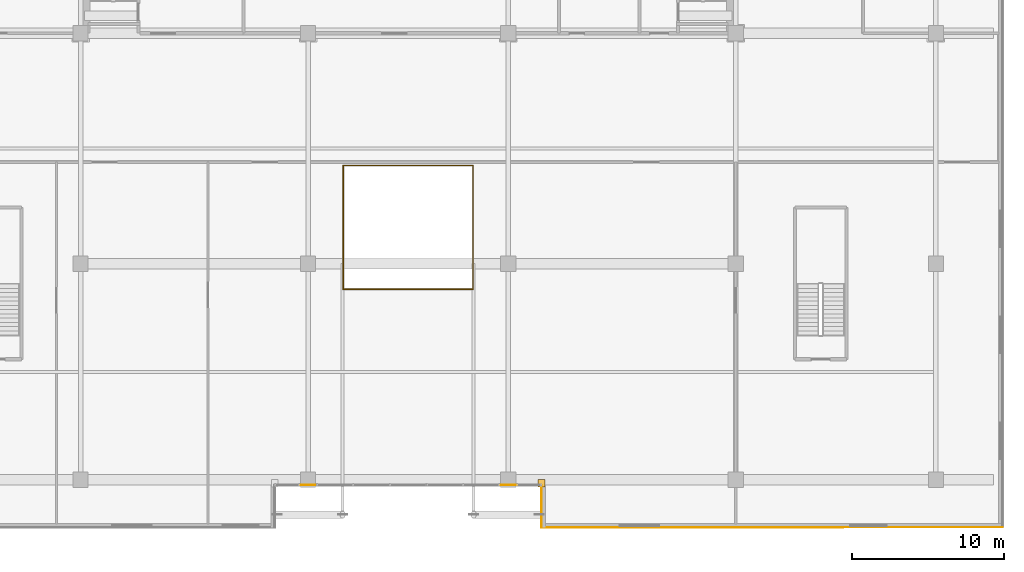
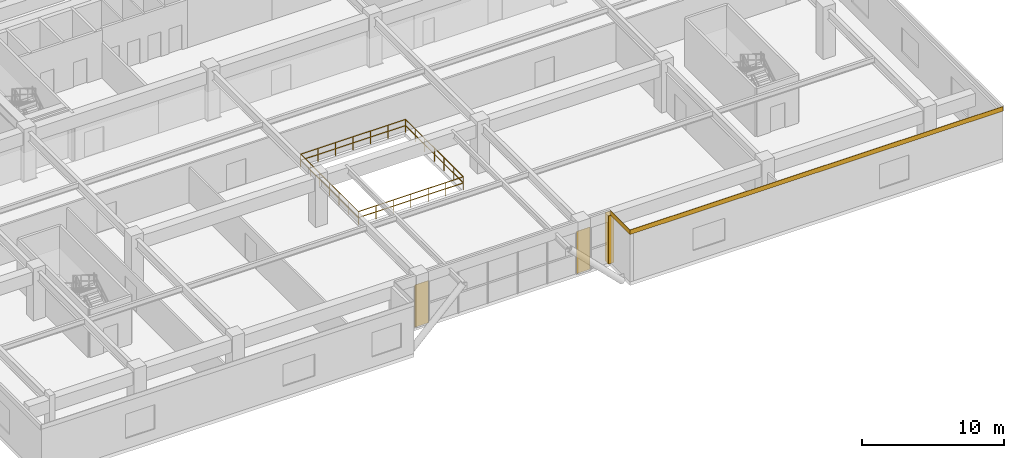
# One storey, part 18 of 21: 5 coverings, 4 railings.
"""IFC4 building model written with IfcOpenShell, lengths in metres."""

import ifcopenshell
import ifcopenshell.guid

model = None  # the IFC model being written
_history = None  # IfcOwnerHistory: only IFC2X3 demands one
_inside = {}  # id of a spatial element -> (the spatial element, [elements in it])
_under = {}  # id of a project, library or spatial element -> (it, [spatial elements below it])
_declared = {}  # id of a project -> (the project, [libraries it declares])
_typed = {}  # id of a type object -> (the type object, [elements of that type])
_made_of = {}  # id of a material, layer set ... -> (it, [elements and type objects made of it])


def new_model(schema):
    """Start an empty IFC model of exactly this schema.

    Asked for "IFC4X3", IfcOpenShell would pick the latest addendum, in which some entities
    have other attributes; the version numbers below select the first issue.
    IFC2X3 requires an IfcOwnerHistory on every rooted entity: one is made here for all.
    """
    global model, _history
    if schema == "IFC4X3":
        model = ifcopenshell.file(schema_version=(4, 3, 0, 0))
    else:
        model = ifcopenshell.file(schema=schema)
    _inside.clear()
    _under.clear()
    _declared.clear()
    _typed.clear()
    _made_of.clear()
    _history = None
    if model.schema == "IFC2X3":
        org = make("IfcOrganization", Name="unknown")
        user = make(
            "IfcPersonAndOrganization",
            ThePerson=make("IfcPerson", FamilyName="unknown"),
            TheOrganization=org,
        )
        app = make(
            "IfcApplication",
            ApplicationDeveloper=org,
            Version="unknown",
            ApplicationFullName="unknown",
            ApplicationIdentifier="unknown",
        )
        _history = make(
            "IfcOwnerHistory",
            OwningUser=user,
            OwningApplication=app,
            ChangeAction="ADDED",
            CreationDate=0,
        )
    return model


def make(cls, **values):
    """One entity of the class cls with the attributes given. An attribute that is None is left unset."""
    return model.create_entity(
        cls, **{name: value for name, value in values.items() if value is not None}
    )


def rooted(cls, **values):
    """An entity with a GlobalId (a new one), such as an element, a storey or a relation."""
    return make(cls, GlobalId=ifcopenshell.guid.new(), OwnerHistory=_history, **values)


def si_unit(unit_type, name, prefix=None):
    """IfcSIUnit, for example si_unit("LENGTHUNIT", "METRE", prefix="MILLI")."""
    return make("IfcSIUnit", UnitType=unit_type, Prefix=prefix, Name=name)


def assignment(units):
    """IfcUnitAssignment: the units of a project."""
    return None if units is None else make("IfcUnitAssignment", Units=units)


def point(xyz):
    """IfcCartesianPoint."""
    return None if xyz is None else make("IfcCartesianPoint", Coordinates=xyz)


def direction(xyz):
    """IfcDirection."""
    return None if xyz is None else make("IfcDirection", DirectionRatios=xyz)


def frame(location, z_axis=None, x_axis=None):
    """IfcAxis2Placement3D, a coordinate frame: its origin and axes. An axis left out is left unset."""
    return make(
        "IfcAxis2Placement3D",
        Location=point(location),
        Axis=direction(z_axis),
        RefDirection=direction(x_axis),
    )


def frame_2d(location, x_axis=None):
    """IfcAxis2Placement2D, a coordinate frame in the plane: its origin and x axis."""
    return make(
        "IfcAxis2Placement2D", Location=point(location), RefDirection=direction(x_axis)
    )


def origin():
    """The frame at (0, 0, 0) with its axes left unset."""
    return frame((0.0, 0.0, 0.0))


def origin_2d():
    """The frame at (0, 0) in the plane with its x axis left unset."""
    return frame_2d((0.0, 0.0))


def place(relative_to, where):
    """IfcLocalPlacement: puts the frame where relative to a parent placement (None: the world)."""
    return make(
        "IfcLocalPlacement", PlacementRelTo=relative_to, RelativePlacement=where
    )


def context(
    kind, dimensions, precision=None, world=None, true_north=None, identifier=None
):
    """IfcGeometricRepresentationContext, for example the 3D "Model" context."""
    return make(
        "IfcGeometricRepresentationContext",
        ContextIdentifier=identifier,
        ContextType=kind,
        CoordinateSpaceDimension=dimensions,
        Precision=precision,
        WorldCoordinateSystem=world,
        TrueNorth=true_north,
    )


def subcontext(parent, identifier, kind, view, scale=None):
    """IfcGeometricRepresentationSubContext, for example "Body" below "Model"."""
    return make(
        "IfcGeometricRepresentationSubContext",
        ContextIdentifier=identifier,
        ContextType=kind,
        ParentContext=parent,
        TargetScale=scale,
        TargetView=view,
    )


def project(units=None, contexts=None):
    """IfcProject with its units and contexts."""
    return rooted(
        "IfcProject",
        Name="project",
        RepresentationContexts=contexts,
        UnitsInContext=assignment(units),
    )


def spatial(cls, under=None, at=None, **own):
    """A site, building, storey or space (cls), placed at a placement, below another one or the project."""
    s = rooted(cls, ObjectPlacement=at, **own)
    if under is not None:
        _under.setdefault(under.id(), (under, []))[1].append(s)
    return s


def profile(cls, at=None, kind="AREA", **sizes):
    """A parametric profile (cls). Its sizes go by their IFC names, for example OverallWidth=200.0."""
    return make(cls, ProfileType=kind, Position=at, **sizes)


def rectangle(**sizes):
    """IfcRectangleProfileDef."""
    return profile("IfcRectangleProfileDef", **sizes)


def extrude(swept, where, along, depth):
    """IfcExtrudedAreaSolid: the profile swept, set in the frame where, extruded along a direction by depth."""
    return make(
        "IfcExtrudedAreaSolid",
        SweptArea=swept,
        Position=where,
        ExtrudedDirection=direction(along),
        Depth=depth,
    )


def shape(context_of_items, identifier, shape_type, items):
    """IfcShapeRepresentation: the items that make up one representation, for example the "Body"."""
    return make(
        "IfcShapeRepresentation",
        ContextOfItems=context_of_items,
        RepresentationIdentifier=identifier,
        RepresentationType=shape_type,
        Items=items,
    )


def source(mapping_origin, context_of_items, identifier, shape_type, items):
    """IfcRepresentationMap: a shape defined once, which mapped items show again and again."""
    return make(
        "IfcRepresentationMap",
        MappingOrigin=mapping_origin,
        MappedRepresentation=shape(context_of_items, identifier, shape_type, items),
    )


def transform(
    local_origin,
    x_axis=None,
    y_axis=None,
    z_axis=None,
    scale=None,
    scale2=None,
    scale3=None,
    uniform=True,
):
    """IfcCartesianTransformationOperator3D, or its non-uniform kind. x_axis, y_axis, z_axis: its Axis1, 2, 3."""
    if uniform:
        return make(
            "IfcCartesianTransformationOperator3D",
            Axis1=direction(x_axis),
            Axis2=direction(y_axis),
            LocalOrigin=point(local_origin),
            Scale=scale,
            Axis3=direction(z_axis),
        )
    return make(
        "IfcCartesianTransformationOperator3DnonUniform",
        Axis1=direction(x_axis),
        Axis2=direction(y_axis),
        LocalOrigin=point(local_origin),
        Scale=scale,
        Axis3=direction(z_axis),
        Scale2=scale2,
        Scale3=scale3,
    )


def mapped(mapping_source, mapping_target):
    """IfcMappedItem: shows the shape of a source again, moved by a transform."""
    return make(
        "IfcMappedItem", MappingSource=mapping_source, MappingTarget=mapping_target
    )


def material(Name=None, Category=None):
    """IfcMaterial."""
    return make("IfcMaterial", Name=Name, Category=Category)


def layer(
    of_material, thickness, ventilated=None, Name=None, Category=None, Priority=None
):
    """IfcMaterialLayer: one layer of a wall or slab, of a material (None: an air gap)."""
    return make(
        "IfcMaterialLayer",
        Material=of_material,
        LayerThickness=thickness,
        IsVentilated=ventilated,
        Name=Name,
        Category=Category,
        Priority=Priority,
    )


def layer_set(layers, Name=None):
    """IfcMaterialLayerSet."""
    return make("IfcMaterialLayerSet", MaterialLayers=layers, LayerSetName=Name)


def made_of(thing, what):
    """Note that an element or type object is made of a material, layer set ...; save() writes the relation."""
    if what is not None:
        _made_of.setdefault(what.id(), (what, []))[1].append(thing)
    return thing


def type_object(cls, material=None, **own):
    """A type object (cls), such as IfcWallType, which elements share."""
    return made_of(rooted(cls, **own), material)


def element(
    cls,
    number,
    at=None,
    inside=None,
    cuts=None,
    type_object=None,
    material=None,
    context=None,
    identifier="Body",
    shape_type=None,
    held_by="IfcProductDefinitionShape",
    body=None,
    shapes=None,
    **own,
):
    """One element of the class cls, such as IfcWall. Its Tag is "e" and its number.

    at: its placement. inside: the storey or other place that contains it. cuts: it is an
    opening in that element (IfcRelVoidsElement). A single representation is given by context,
    identifier, shape_type and body (its items); several are given by shapes. held_by: the class
    of the entity that holds the representations. save() writes the other relations.
    """
    e = rooted(cls, Tag="e%d" % number, ObjectPlacement=at, **own)
    if body is not None:
        shapes = [shape(context, identifier, shape_type, body)]
    if shapes is not None:
        e.Representation = make(held_by, Representations=shapes)
    if inside is not None:
        _inside.setdefault(inside.id(), (inside, []))[1].append(e)
    if cuts is not None:
        rooted(
            "IfcRelVoidsElement", RelatingBuildingElement=cuts, RelatedOpeningElement=e
        )
    if type_object is not None:
        _typed.setdefault(type_object.id(), (type_object, []))[1].append(e)
    return made_of(e, material)


def aggregate(whole, parts):
    """IfcRelAggregates: a whole, such as a stair, and the parts it consists of."""
    return rooted("IfcRelAggregates", RelatingObject=whole, RelatedObjects=parts)


def save(model, path):
    """Write the relations noted so far, then the file.

    IfcRelAggregates (storeys below a building ...), IfcRelContainedInSpatialStructure (elements
    in a storey), IfcRelDefinesByType, IfcRelAssociatesMaterial and IfcRelDeclares: one each for
    every whole, place, type object, material and project.
    """
    for whole, parts in _under.values():
        aggregate(whole, parts)
    for where, things in _inside.values():
        rooted(
            "IfcRelContainedInSpatialStructure",
            RelatedElements=things,
            RelatingStructure=where,
        )
    for kind, things in _typed.values():
        rooted("IfcRelDefinesByType", RelatedObjects=things, RelatingType=kind)
    for what, things in _made_of.values():
        rooted("IfcRelAssociatesMaterial", RelatedObjects=things, RelatingMaterial=what)
    for by, libraries in _declared.values():
        rooted("IfcRelDeclares", RelatingContext=by, RelatedDefinitions=libraries)
    model.write(path)


model = new_model("IFC4")

# Units and contexts
model_context = context("Model", 3, precision=1e-05, world=origin(), true_north=direction((0.0, 1.0)))
body_context = subcontext(model_context, "Body", "Model", "MODEL_VIEW")
ifc_project = project(units=[si_unit("LENGTHUNIT", "METRE"), si_unit("AREAUNIT", "SQUARE_METRE"), si_unit("VOLUMEUNIT", "CUBIC_METRE"), si_unit("PLANEANGLEUNIT", "RADIAN"), si_unit("MASSUNIT", "GRAM", prefix="KILO")], contexts=[model_context])

# Site, building, storey
site_placement = place(None, origin())
site = spatial("IfcSite", under=ifc_project, at=site_placement, CompositionType="ELEMENT")
building_placement = place(site_placement, origin())
building = spatial("IfcBuilding", under=site, at=building_placement, Name="Trelvane Seafront Commons", CompositionType="ELEMENT")
storey_placement = place(building_placement, frame((0.0, 0.0, 14.199951171875)))
storey = spatial("IfcBuildingStorey", under=building, at=storey_placement, Name="L03", CompositionType="ELEMENT", Elevation=14.199951171875)

# Railings
ifc_material_1 = material(Name="Stainless steel balustrade", Category="steel")
railing_type = type_object("IfcRailingType", Name="ARCH-RAIL-BAL1150", PredefinedType="BALUSTRADE", material=ifc_material_1)
railing_1_placement = place(storey_placement, frame((32.919921875, 16.52001953125, 0.0)))
element("IfcRailing", 1, at=railing_1_placement, inside=storey, type_object=railing_type, Name="RL-L03-ATR-01", PredefinedType="BALUSTRADE", context=body_context, shape_type="SweptSolid", body=[
    extrude(rectangle(XDim=0.048095703125, YDim=0.048095703125, at=origin_2d()), frame((0.0, 0.0, 1.1259765625), z_axis=(1.0, 0.0, 0.0), x_axis=(0.0, 1.0, 0.0)), (0.0, 0.0, 1.0), 8.56005859375),
    extrude(rectangle(XDim=0.048095703125, YDim=0.048095703125, at=origin_2d()), frame((0.0, 0.0, 0.597900390625), z_axis=(1.0, 0.0, 0.0), x_axis=(0.0, 1.0, 0.0)), (0.0, 0.0, 1.0), 8.56005859375),
    extrude(rectangle(XDim=0.0419921875, YDim=0.0419921875, at=origin_2d()), origin(), (0.0, 0.0, 1.0), 1.1259765625),
    extrude(rectangle(XDim=0.0419921875, YDim=0.0419921875, at=origin_2d()), frame((1.4267578125, 0.0, 0.0)), (0.0, 0.0, 1.0), 1.1259765625),
    extrude(rectangle(XDim=0.0419921875, YDim=0.0419921875, at=origin_2d()), frame((2.853271484375, 0.0, 0.0)), (0.0, 0.0, 1.0), 1.1259765625),
    extrude(rectangle(XDim=0.0419921875, YDim=0.0419921875, at=origin_2d()), frame((4.280029296875, 0.0, 0.0)), (0.0, 0.0, 1.0), 1.1259765625),
    extrude(rectangle(XDim=0.0419921875, YDim=0.0419921875, at=origin_2d()), frame((5.706787109375, 0.0, 0.0)), (0.0, 0.0, 1.0), 1.1259765625),
    extrude(rectangle(XDim=0.0419921875, YDim=0.0419921875, at=origin_2d()), frame((7.13330078125, 0.0, 0.0)), (0.0, 0.0, 1.0), 1.1259765625),
    extrude(rectangle(XDim=0.0419921875, YDim=0.0419921875, at=origin_2d()), frame((8.56005859375, 0.0, 0.0)), (0.0, 0.0, 1.0), 1.1259765625),
])
railing_2_placement = place(storey_placement, frame((41.47998046875, 16.52001953125, 0.0)))
element("IfcRailing", 2, at=railing_2_placement, inside=storey, type_object=railing_type, Name="RL-L03-ATR-02", PredefinedType="BALUSTRADE", context=body_context, shape_type="SweptSolid", body=[
    extrude(rectangle(XDim=0.048095703125, YDim=0.048095703125, at=origin_2d()), frame((0.0, 0.0, 1.1259765625), z_axis=(0.0, 1.0, 0.0), x_axis=(-1.0, 0.0, 0.0)), (0.0, 0.0, 1.0), 8.159912109375),
    extrude(rectangle(XDim=0.048095703125, YDim=0.048095703125, at=origin_2d()), frame((0.0, 0.0, 0.597900390625), z_axis=(0.0, 1.0, 0.0), x_axis=(-1.0, 0.0, 0.0)), (0.0, 0.0, 1.0), 8.159912109375),
    extrude(rectangle(XDim=0.0419921875, YDim=0.0419921875, at=origin_2d()), origin(), (0.0, 0.0, 1.0), 1.1259765625),
    extrude(rectangle(XDim=0.0419921875, YDim=0.0419921875, at=origin_2d()), frame((0.0, 1.35986328125, 0.0)), (0.0, 0.0, 1.0), 1.1259765625),
    extrude(rectangle(XDim=0.0419921875, YDim=0.0419921875, at=origin_2d()), frame((0.0, 2.719970703125, 0.0)), (0.0, 0.0, 1.0), 1.1259765625),
    extrude(rectangle(XDim=0.0419921875, YDim=0.0419921875, at=origin_2d()), frame((0.0, 4.080078125, 0.0)), (0.0, 0.0, 1.0), 1.1259765625),
    extrude(rectangle(XDim=0.0419921875, YDim=0.0419921875, at=origin_2d()), frame((0.0, 5.43994140625, 0.0)), (0.0, 0.0, 1.0), 1.1259765625),
    extrude(rectangle(XDim=0.0419921875, YDim=0.0419921875, at=origin_2d()), frame((0.0, 6.7998046875, 0.0)), (0.0, 0.0, 1.0), 1.1259765625),
    extrude(rectangle(XDim=0.0419921875, YDim=0.0419921875, at=origin_2d()), frame((0.0, 8.159912109375, 0.0)), (0.0, 0.0, 1.0), 1.1259765625),
])
railing_3_placement = place(storey_placement, frame((41.47998046875, 24.679931640625, 0.0)))
element("IfcRailing", 3, at=railing_3_placement, inside=storey, type_object=railing_type, Name="RL-L03-ATR-03", PredefinedType="BALUSTRADE", context=body_context, shape_type="SweptSolid", body=[
    extrude(rectangle(XDim=0.048095703125, YDim=0.048095703125, at=origin_2d()), frame((0.0, 0.0, 1.1259765625), z_axis=(-1.0, 0.0, 0.0), x_axis=(0.0, -1.0, 0.0)), (0.0, 0.0, 1.0), 8.56005859375),
    extrude(rectangle(XDim=0.048095703125, YDim=0.048095703125, at=origin_2d()), frame((0.0, 0.0, 0.597900390625), z_axis=(-1.0, 0.0, 0.0), x_axis=(0.0, -1.0, 0.0)), (0.0, 0.0, 1.0), 8.56005859375),
    extrude(rectangle(XDim=0.0419921875, YDim=0.0419921875, at=origin_2d()), origin(), (0.0, 0.0, 1.0), 1.1259765625),
    extrude(rectangle(XDim=0.0419921875, YDim=0.0419921875, at=origin_2d()), frame((-1.4267578125, 0.0, 0.0)), (0.0, 0.0, 1.0), 1.1259765625),
    extrude(rectangle(XDim=0.0419921875, YDim=0.0419921875, at=origin_2d()), frame((-2.853271484375, 0.0, 0.0)), (0.0, 0.0, 1.0), 1.1259765625),
    extrude(rectangle(XDim=0.0419921875, YDim=0.0419921875, at=origin_2d()), frame((-4.280029296875, 0.0, 0.0)), (0.0, 0.0, 1.0), 1.1259765625),
    extrude(rectangle(XDim=0.0419921875, YDim=0.0419921875, at=origin_2d()), frame((-5.706787109375, 0.0, 0.0)), (0.0, 0.0, 1.0), 1.1259765625),
    extrude(rectangle(XDim=0.0419921875, YDim=0.0419921875, at=origin_2d()), frame((-7.13330078125, 0.0, 0.0)), (0.0, 0.0, 1.0), 1.1259765625),
    extrude(rectangle(XDim=0.0419921875, YDim=0.0419921875, at=origin_2d()), frame((-8.56005859375, 0.0, 0.0)), (0.0, 0.0, 1.0), 1.1259765625),
])
railing_4_placement = place(storey_placement, frame((32.919921875, 24.679931640625, 0.0)))
element("IfcRailing", 4, at=railing_4_placement, inside=storey, type_object=railing_type, Name="RL-L03-ATR-04", PredefinedType="BALUSTRADE", context=body_context, shape_type="SweptSolid", body=[
    extrude(rectangle(XDim=0.048095703125, YDim=0.048095703125, at=origin_2d()), frame((0.0, 0.0, 1.1259765625), z_axis=(0.0, -1.0, 0.0), x_axis=(1.0, 0.0, 0.0)), (0.0, 0.0, 1.0), 8.159912109375),
    extrude(rectangle(XDim=0.048095703125, YDim=0.048095703125, at=origin_2d()), frame((0.0, 0.0, 0.597900390625), z_axis=(0.0, -1.0, 0.0), x_axis=(1.0, 0.0, 0.0)), (0.0, 0.0, 1.0), 8.159912109375),
    extrude(rectangle(XDim=0.0419921875, YDim=0.0419921875, at=origin_2d()), origin(), (0.0, 0.0, 1.0), 1.1259765625),
    extrude(rectangle(XDim=0.0419921875, YDim=0.0419921875, at=origin_2d()), frame((0.0, -1.35986328125, 0.0)), (0.0, 0.0, 1.0), 1.1259765625),
    extrude(rectangle(XDim=0.0419921875, YDim=0.0419921875, at=origin_2d()), frame((0.0, -2.719970703125, 0.0)), (0.0, 0.0, 1.0), 1.1259765625),
    extrude(rectangle(XDim=0.0419921875, YDim=0.0419921875, at=origin_2d()), frame((0.0, -4.080078125, 0.0)), (0.0, 0.0, 1.0), 1.1259765625),
    extrude(rectangle(XDim=0.0419921875, YDim=0.0419921875, at=origin_2d()), frame((0.0, -5.43994140625, 0.0)), (0.0, 0.0, 1.0), 1.1259765625),
    extrude(rectangle(XDim=0.0419921875, YDim=0.0419921875, at=origin_2d()), frame((0.0, -6.7998046875, 0.0)), (0.0, 0.0, 1.0), 1.1259765625),
    extrude(rectangle(XDim=0.0419921875, YDim=0.0419921875, at=origin_2d()), frame((0.0, -8.159912109375, 0.0)), (0.0, 0.0, 1.0), 1.1259765625),
])

# Coverings
ifc_material_2 = material(Name="Anodised pale-silver aluminium", Category="aluminium")
ifc_layer = layer(ifc_material_2, 0.034912109375, Name="ARCH-COV-CLAD35")
ifc_layer_set = layer_set([ifc_layer], Name="Anodised pale-silver aluminium")
covering_type = type_object("IfcCoveringType", Name="ARCH-COV-CLAD35", PredefinedType="CLADDING", material=ifc_layer_set)
shared_shape_1 = source(origin(), body_context, "Body", "SweptSolid", [
    extrude(rectangle(XDim=30.39990234375, YDim=0.034912109375, at=origin_2d()), origin(), (0.0, 0.0, 1.0), 0.389892578125),
])
covering_1_placement = place(storey_placement, frame((61.199951171875, 0.800048828125, 4.10986328125), z_axis=(0.0, 0.0, 1.0), x_axis=(-1.0, 0.0, 0.0)))
element("IfcCovering", 5, at=covering_1_placement, inside=storey, type_object=covering_type, Name="CLD-L03-00024", PredefinedType="CLADDING", context=body_context, shape_type="MappedRepresentation", body=[
    mapped(shared_shape_1, transform((0.0, 0.0, 0.0), x_axis=(1.0, 0.0, 0.0), y_axis=(0.0, 1.0, 0.0), z_axis=(0.0, 0.0, 1.0), scale=1.0)),
])
shared_shape_2 = source(origin(), body_context, "Body", "SweptSolid", [
    extrude(rectangle(XDim=2.800048828125, YDim=0.034912109375, at=origin_2d()), origin(), (0.0, 0.0, 1.0), 0.389892578125),
])
covering_2_placement = place(storey_placement, frame((46.0, 2.199951171875, 4.10986328125), z_axis=(0.0, 0.0, 1.0), x_axis=(0.0, 1.0, 0.0)))
element("IfcCovering", 6, at=covering_2_placement, inside=storey, type_object=covering_type, Name="CLD-L03-00025", PredefinedType="CLADDING", context=body_context, shape_type="MappedRepresentation", body=[
    mapped(shared_shape_2, transform((0.0, 0.0, 0.0), x_axis=(1.0, 0.0, 0.0), y_axis=(0.0, 1.0, 0.0), z_axis=(0.0, 0.0, 1.0), scale=1.0)),
])
shared_shape_3 = source(origin(), body_context, "Body", "SweptSolid", [
    extrude(rectangle(XDim=1.10009765625, YDim=0.0400390625, at=origin_2d()), origin(), (0.0, 0.0, 1.0), 3.6298828125),
])
for number, where, z_axis, x_axis, name in (
    (7, (43.800048828125, 3.60009765625, 0.0), (0.0, 0.0, 1.0), (-1.0, 0.0, 0.0), "CLD-COL-L03-00026"),
    (8, (30.60009765625, 3.60009765625, 0.0), (0.0, 0.0, 1.0), (-1.0, 0.0, 0.0), "CLD-COL-L03-00027"),
):
    element("IfcCovering", number, at=place(storey_placement, frame(where, z_axis=z_axis, x_axis=x_axis)), inside=storey, type_object=covering_type, Name=name, PredefinedType="CLADDING", context=body_context, shape_type="MappedRepresentation", body=[
        mapped(shared_shape_3, transform((0.0, 0.0, 0.0), x_axis=(1.0, 0.0, 0.0), y_axis=(0.0, 1.0, 0.0), z_axis=(0.0, 0.0, 1.0), scale=1.0)),
    ])
shared_shape_4 = source(origin(), body_context, "Body", "SweptSolid", [
    extrude(rectangle(XDim=0.449951171875, YDim=0.5, at=origin_2d()), origin(), (0.0, 0.0, 1.0), 4.14990234375),
])
covering_3_placement = place(storey_placement, frame((46.0, 3.719970703125, 0.0), z_axis=(0.0, 0.0, 1.0), x_axis=(1.0, 0.0, 0.0)))
element("IfcCovering", 9, at=covering_3_placement, inside=storey, type_object=covering_type, Name="CLD-VPC-L03-00028", PredefinedType="CLADDING", context=body_context, shape_type="MappedRepresentation", body=[
    mapped(shared_shape_4, transform((0.0, 0.0, 0.0), x_axis=(1.0, 0.0, 0.0), y_axis=(0.0, 1.0, 0.0), z_axis=(0.0, 0.0, 1.0), scale=1.0)),
])

save(model, "model.ifc")
